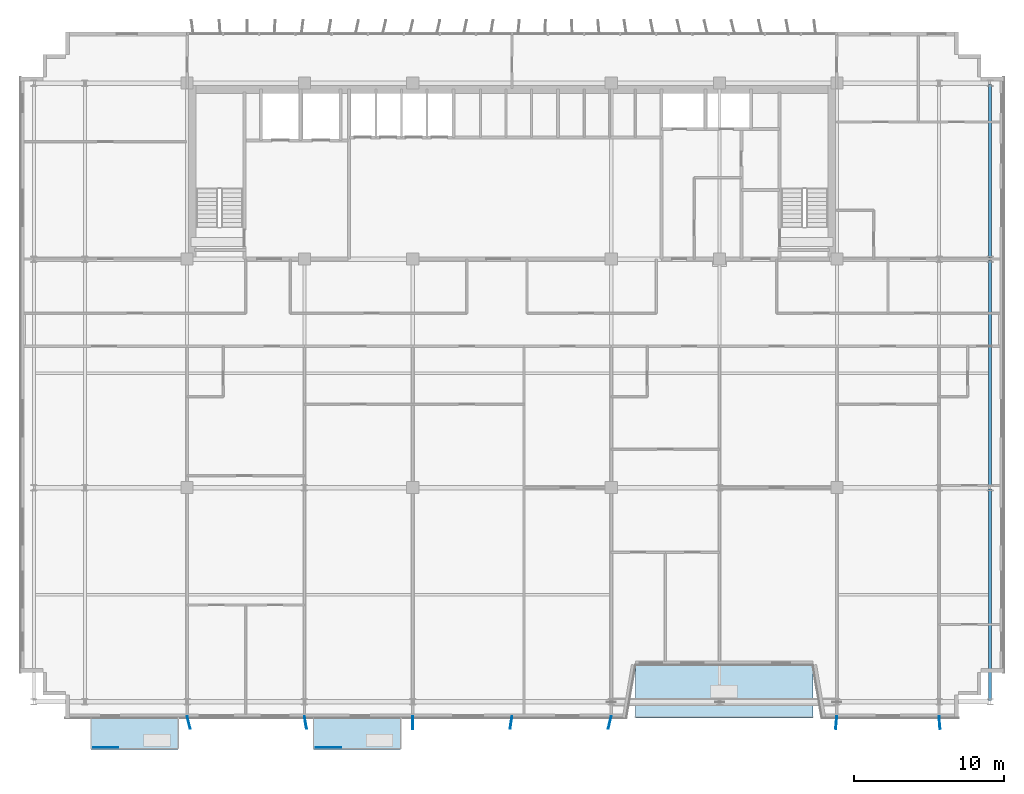
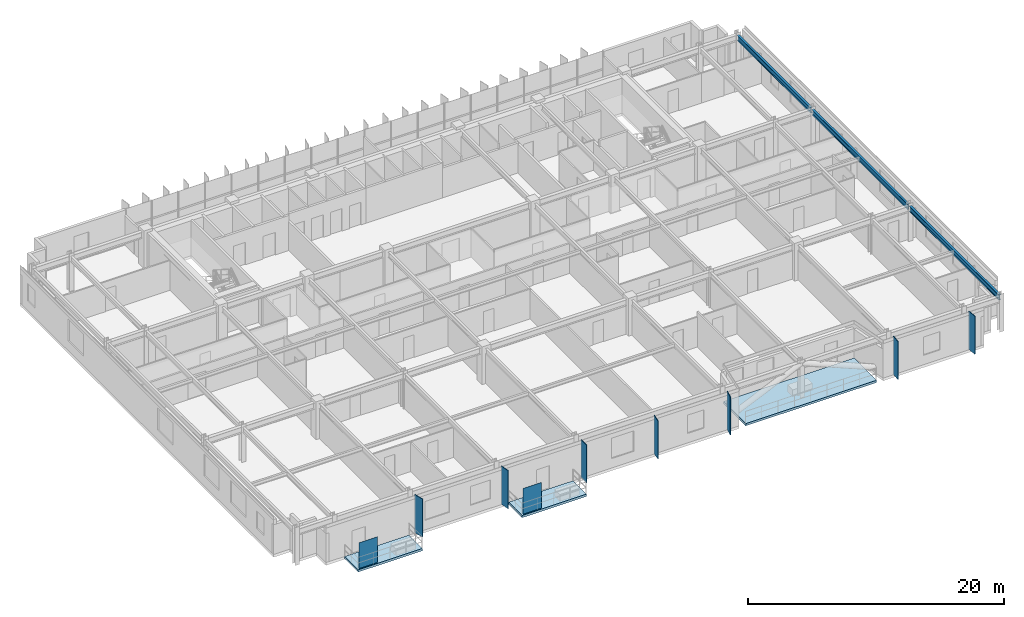
# One storey, part 12 of 22: 9 plates, 3 beams, 3 slabs.
"""IFC4 building model written with IfcOpenShell, lengths in metres."""

from ifc_helpers import new_model, si_unit, direction, frame, origin, origin_2d, place, context, subcontext, project, spatial, polyline, rectangle, i_section, outline, extrude, source, transform, mapped, material, layer, layer_set, material_profile, profile_set, type_object, element, save


model = new_model("IFC4")

# Units and contexts
model_context = context("Model", 3, precision=1e-05, world=origin(), true_north=direction((0.0, 1.0)))
body_context = subcontext(model_context, "Body", "Model", "MODEL_VIEW")
ifc_project = project(units=[si_unit("LENGTHUNIT", "METRE"), si_unit("AREAUNIT", "SQUARE_METRE"), si_unit("VOLUMEUNIT", "CUBIC_METRE"), si_unit("PLANEANGLEUNIT", "RADIAN"), si_unit("MASSUNIT", "GRAM", prefix="KILO")], contexts=[model_context])

# Site, building, storey
site_placement = place(None, origin())
site = spatial("IfcSite", under=ifc_project, at=site_placement, CompositionType="ELEMENT")
building_placement = place(site_placement, origin())
building = spatial("IfcBuilding", under=site, at=building_placement, Name="Trelvane Seafront Commons", CompositionType="ELEMENT")
storey_placement = place(building_placement, frame((0.0, 0.0, 121.300048828125)))
storey = spatial("IfcBuildingStorey", under=building, at=storey_placement, Name="L31", CompositionType="ELEMENT", Elevation=121.300048828125)

# Beams
ifc_material_1 = material(Name="Steel SM355 (S355)", Category="steel")
ifc_material_profile = material_profile(ifc_material_1, i_section(OverallWidth=0.199951171875, OverallDepth=0.5, WebThickness=0.010009765625, FlangeThickness=0.01611328125, at=origin_2d()), Name="H-500x200x10x16")
ifc_profile_set = profile_set([ifc_material_profile], Name="Steel SM355 (S355)")
beam_type = type_object("IfcBeamType", Name="STR-BM-H500", PredefinedType="BEAM", material=ifc_profile_set)
shared_shape_1 = source(origin(), body_context, "Body", "SweptSolid", [
    extrude(i_section(OverallWidth=0.199951171875, OverallDepth=0.5, WebThickness=0.010009765625, FlangeThickness=0.01611328125, at=origin_2d()), origin(), (0.0, 0.0, 1.0), 14.050048828125),
])
beam_1_placement = place(storey_placement, frame((69.0, 4.050048828125, 3.08984375), z_axis=(0.0, 1.0, 0.0), x_axis=(-1.0, 0.0, 0.0)))
element("IfcBeam", 1, at=beam_1_placement, inside=storey, type_object=beam_type, Name="L31 Primary Girder G-64", PredefinedType="BEAM", context=body_context, shape_type="MappedRepresentation", body=[
    mapped(shared_shape_1, transform((0.0, 0.0, 0.0), x_axis=(1.0, 0.0, 0.0), y_axis=(0.0, 1.0, 0.0), z_axis=(0.0, 0.0, 1.0), scale=1.0)),
])
shared_shape_2 = source(origin(), body_context, "Body", "SweptSolid", [
    extrude(i_section(OverallWidth=0.199951171875, OverallDepth=0.5, WebThickness=0.010009765625, FlangeThickness=0.01611328125, at=origin_2d()), origin(), (0.0, 0.0, 1.0), 15.0),
])
beam_2_placement = place(storey_placement, frame((69.0, 18.300048828125, 3.08984375), z_axis=(0.0, 1.0, 0.0), x_axis=(-1.0, 0.0, 0.0)))
element("IfcBeam", 2, at=beam_2_placement, inside=storey, type_object=beam_type, Name="L31 Primary Girder G-65", PredefinedType="BEAM", context=body_context, shape_type="MappedRepresentation", body=[
    mapped(shared_shape_2, transform((0.0, 0.0, 0.0), x_axis=(1.0, 0.0, 0.0), y_axis=(0.0, 1.0, 0.0), z_axis=(0.0, 0.0, 1.0), scale=1.0)),
])
shared_shape_3 = source(origin(), body_context, "Body", "SweptSolid", [
    extrude(i_section(OverallWidth=0.199951171875, OverallDepth=0.5, WebThickness=0.010009765625, FlangeThickness=0.01611328125, at=origin_2d()), origin(), (0.0, 0.0, 1.0), 11.5),
])
beam_3_placement = place(storey_placement, frame((69.0, 33.5, 3.08984375), z_axis=(0.0, 1.0, 0.0), x_axis=(-1.0, 0.0, 0.0)))
element("IfcBeam", 3, at=beam_3_placement, inside=storey, type_object=beam_type, Name="L31 Primary Girder G-66", PredefinedType="BEAM", context=body_context, shape_type="MappedRepresentation", body=[
    mapped(shared_shape_3, transform((0.0, 0.0, 0.0), x_axis=(1.0, 0.0, 0.0), y_axis=(0.0, 1.0, 0.0), z_axis=(0.0, 0.0, 1.0), scale=1.0)),
])

# Slabs
ifc_material_2 = material(Name="Concrete C40/50", Category="concrete")
ifc_layer_1 = layer(ifc_material_2, 0.219970703125, Name="ARCH-BALC-220")
ifc_layer_set_1 = layer_set([ifc_layer_1], Name="Concrete C40/50")
slab_type_1 = type_object("IfcSlabType", Name="ARCH-BALC-220", PredefinedType="FLOOR", material=ifc_layer_set_1)
slab_1_placement = place(storey_placement, frame((0.0, 0.0, -0.219970703125)))
element("IfcSlab", 4, at=slab_1_placement, inside=storey, type_object=slab_type_1, Name="L31 Cantilevered Tree Balcony Loggia 1", PredefinedType="FLOOR", context=body_context, shape_type="SweptSolid", body=[
    extrude(outline(polyline([(9.199951171875, 0.800048828125), (15.0, 0.800048828125), (15.0, 2.89990234375), (9.199951171875, 2.89990234375), (9.199951171875, 0.800048828125)])), origin(), (0.0, 0.0, 1.0), 0.219970703125),
])
slab_2_placement = place(storey_placement, frame((0.0, 0.0, -0.219970703125)))
element("IfcSlab", 5, at=slab_2_placement, inside=storey, type_object=slab_type_1, Name="L31 Cantilevered Tree Balcony Loggia 2", PredefinedType="FLOOR", context=body_context, shape_type="SweptSolid", body=[
    extrude(outline(polyline([(24.0, 0.800048828125), (29.800048828125, 0.800048828125), (29.800048828125, 2.89990234375), (24.0, 2.89990234375), (24.0, 0.800048828125)])), origin(), (0.0, 0.0, 1.0), 0.219970703125),
])
ifc_layer_2 = layer(ifc_material_2, 0.2099609375, Name="ARCH-TERR-210")
ifc_layer_set_2 = layer_set([ifc_layer_2], Name="Concrete C40/50")
slab_type_2 = type_object("IfcSlabType", Name="ARCH-TERR-210", PredefinedType="FLOOR", material=ifc_layer_set_2)
slab_3_placement = place(storey_placement, frame((0.0, 0.0, -0.2099609375)))
element("IfcSlab", 6, at=slab_3_placement, inside=storey, type_object=slab_type_2, Name="L31 V-Notched Sky Garden Terrace Slab", PredefinedType="FLOOR", context=body_context, shape_type="SweptSolid", body=[
    extrude(outline(polyline([(45.39990234375, 2.89990234375), (57.199951171875, 2.89990234375), (57.199951171875, 6.39990234375), (45.39990234375, 6.39990234375), (45.39990234375, 2.89990234375)])), origin(), (0.0, 0.0, 1.0), 0.2099609375),
])

# Plates
ifc_material_3 = material(Name="Perforated anodised aluminium screen", Category="aluminium")
ifc_layer_3 = layer(ifc_material_3, 0.01611328125, Name="ARCH-PLATE-SCREEN")
ifc_layer_set_3 = layer_set([ifc_layer_3], Name="Perforated anodised aluminium screen")
plate_type_1 = type_object("IfcPlateType", Name="ARCH-PLATE-SCREEN", PredefinedType="USERDEFINED", material=ifc_layer_set_3)
shared_shape_4 = source(origin(), body_context, "Body", "SweptSolid", [
    extrude(rectangle(XDim=1.681884765625, YDim=0.01611328125, at=origin_2d()), origin(), (0.0, 0.0, 1.0), 2.449951171875),
])
for number, where, z_axis, x_axis, name in (
    (7, (10.19091796875, 0.919921875, 0.0), (0.0, 0.0, 1.0), (1.0, 0.0, 0.0), "SCR-L31-00115"),
    (8, (24.990966796875, 0.919921875, 0.0), (0.0, 0.0, 1.0), (1.0, 0.0, 0.0), "SCR-L31-00116"),
):
    element("IfcPlate", number, at=place(storey_placement, frame(where, z_axis=z_axis, x_axis=x_axis)), inside=storey, type_object=plate_type_1, Name=name, ObjectType="SCREEN", PredefinedType="USERDEFINED", context=body_context, shape_type="MappedRepresentation", body=[
        mapped(shared_shape_4, transform((0.0, 0.0, 0.0), x_axis=(1.0, 0.0, 0.0), y_axis=(0.0, 1.0, 0.0), z_axis=(0.0, 0.0, 1.0), scale=1.0)),
    ])
ifc_material_4 = material(Name="Anodised pale-silver aluminium", Category="aluminium")
ifc_layer_4 = layer(ifc_material_4, 0.06005859375, Name="ARCH-PLATE-FIN900")
ifc_layer_set_4 = layer_set([ifc_layer_4], Name="Anodised pale-silver aluminium")
plate_type_2 = type_object("IfcPlateType", Name="ARCH-PLATE-FIN900", PredefinedType="USERDEFINED", material=ifc_layer_set_4)
shared_shape_5 = source(origin(), body_context, "Body", "SweptSolid", [
    extrude(rectangle(XDim=0.85009765625, YDim=0.06005859375, at=origin_2d()), origin(), (0.0, 0.0, 1.0), 3.639892578125),
])
for number, where, z_axis, x_axis, name in (
    (9, (15.701904296875, 2.58740234375, -0.02001953125), (0.0, 0.0, 1.0), (0.239655354394, -0.970858028298, 0.0), "FIN-S-L31-00836"),
    (10, (23.46923828125, 2.580810546875, -0.02001953125), (0.0, 0.0, 1.0), (0.162948855698, -0.986634517147, 0.0), "FIN-S-L31-00837"),
    (11, (30.603515625, 2.574951171875, -0.02001953125), (0.0, 0.0, 1.0), (0.00835304866, -0.99996511268, 0.0), "FIN-S-L31-00838"),
    (12, (37.135986328125, 2.579833984375, -0.02001953125), (0.0, 0.0, 1.0), (-0.150360178507, -0.988631284514, 0.0), "FIN-S-L31-00839"),
    (13, (43.69921875, 2.587158203125, -0.02001953125), (0.0, 0.0, 1.0), (-0.236939885153, -0.971524313038, 0.0), "FIN-S-L31-00840"),
    (14, (58.761962890625, 2.57666015625, -0.02001953125), (0.0, 0.0, 1.0), (-0.089528801942, -0.995984233622, 0.0), "FIN-S-L31-00841"),
    (15, (65.633056640625, 2.576416015625, -0.02001953125), (0.0, 0.0, 1.0), (0.077766577158, -0.996971594117, 0.0), "FIN-S-L31-00842"),
):
    element("IfcPlate", number, at=place(storey_placement, frame(where, z_axis=z_axis, x_axis=x_axis)), inside=storey, type_object=plate_type_2, Name=name, ObjectType="FIN", PredefinedType="USERDEFINED", context=body_context, shape_type="MappedRepresentation", body=[
        mapped(shared_shape_5, transform((0.0, 0.0, 0.0), x_axis=(1.0, 0.0, 0.0), y_axis=(0.0, 1.0, 0.0), z_axis=(0.0, 0.0, 1.0), scale=1.0)),
    ])

save(model, "model.ifc")
